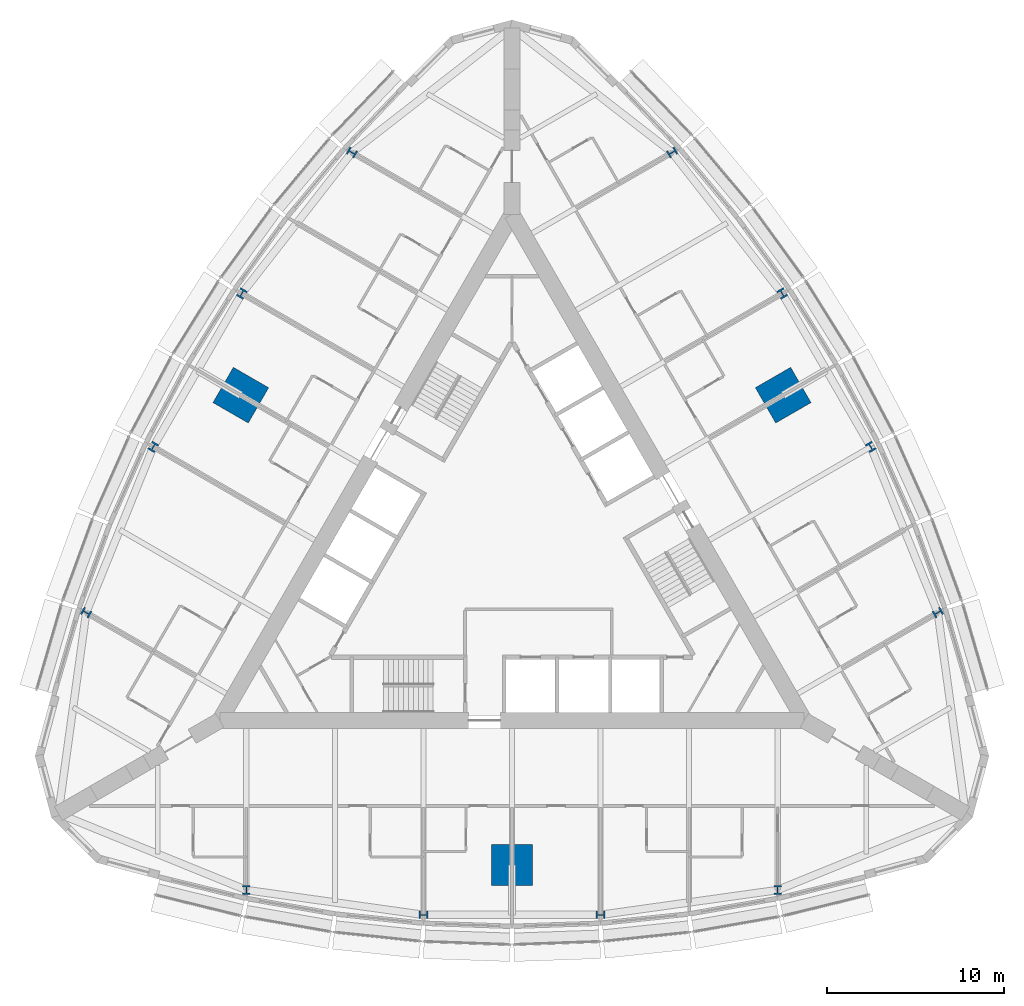
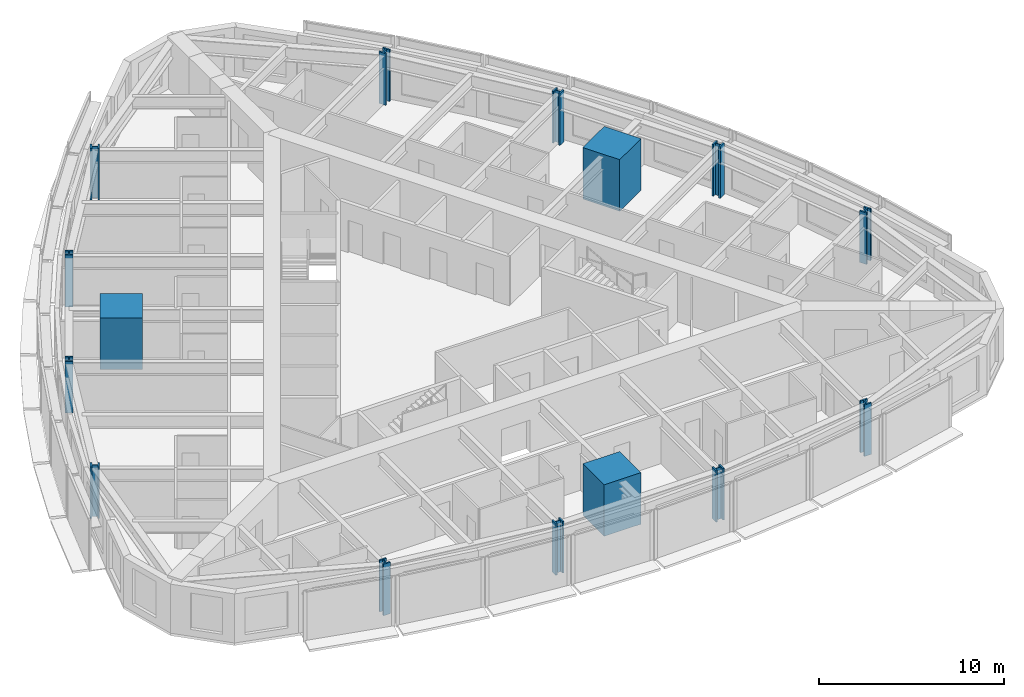
# One storey, part 1 of 14: 15 columns.
"""IFC4 building model written with IfcOpenShell, lengths in metres."""

from ifc_helpers import new_model, si_unit, direction, frame, origin, origin_2d, place, context, subcontext, project, spatial, rectangle, i_section, extrude, material, material_profile, profile_set, type_object, element, save


model = new_model("IFC4")

# Units and contexts
model_context = context("Model", 3, precision=1e-05, world=origin(), true_north=direction((0.0, 1.0)))
body_context = subcontext(model_context, "Body", "Model", "MODEL_VIEW")
ifc_project = project(units=[si_unit("LENGTHUNIT", "METRE"), si_unit("AREAUNIT", "SQUARE_METRE"), si_unit("VOLUMEUNIT", "CUBIC_METRE"), si_unit("PLANEANGLEUNIT", "RADIAN"), si_unit("MASSUNIT", "GRAM", prefix="KILO")], contexts=[model_context])

# Site, building, storey
site_placement = place(None, origin())
site = spatial("IfcSite", under=ifc_project, at=site_placement, CompositionType="ELEMENT")
building_placement = place(site_placement, origin())
building = spatial("IfcBuilding", under=site, at=building_placement, Name="Trikona Tower", CompositionType="ELEMENT")
storey_placement = place(building_placement, frame((0.0, 0.0, 131.699951171875)))
storey = spatial("IfcBuildingStorey", under=building, at=storey_placement, Name="L34", CompositionType="ELEMENT", Elevation=131.699951171875)

# Columns
ifc_material_1 = material(Name="Concrete f'c 10000 psi with encased steel section", Category="concrete")
ifc_material_profile_1 = material_profile(ifc_material_1, rectangle(XDim=2.300048828125, YDim=2.300048828125, at=origin_2d()), Name="MC2300")
ifc_profile_set_1 = profile_set([ifc_material_profile_1], Name="Concrete f'c 10000 psi with encased steel section")
column_type_1 = type_object("IfcColumnType", Name="Composite mega column 2300x2300", PredefinedType="COLUMN", material=ifc_profile_set_1)
for number, where, z_axis, x_axis, name in (
    (1, (0.0, -17.680419921875, 0.0), (0.0, 0.0, 1.0), (0.0, -1.0, 0.0), "Mega column MC1"),
    (2, (15.311767578125, 8.84033203125, 0.0), (0.0, 0.0, 1.0), (0.866025403784, 0.5, 0.0), "Mega column MC2"),
    (3, (-15.311767578125, 8.84033203125, 0.0), (0.0, 0.0, 1.0), (-0.866025403784, 0.5, 0.0), "Mega column MC3"),
):
    element("IfcColumn", number, at=place(storey_placement, frame(where, z_axis=z_axis, x_axis=x_axis)), inside=storey, type_object=column_type_1, Name=name, PredefinedType="COLUMN", context=body_context, shape_type="SweptSolid", body=[
        extrude(rectangle(XDim=2.300048828125, YDim=2.300048828125, at=origin_2d()), origin(), (0.0, 0.0, 1.0), 3.400146484375),
    ])
ifc_material_2 = material(Name="Steel ASTM A992 Grade 50", Category="steel")
ifc_material_profile_2 = material_profile(ifc_material_2, i_section(OverallWidth=0.436767578125, OverallDepth=0.51318359375, WebThickness=0.060546875, FlangeThickness=0.096923828125, at=origin_2d()), Name="W14X550")
ifc_profile_set_2 = profile_set([ifc_material_profile_2], Name="Steel ASTM A992 Grade 50")
column_type_2 = type_object("IfcColumnType", Name="Steel column W14x550", PredefinedType="COLUMN", material=ifc_profile_set_2)
for number, where, z_axis, x_axis, name in (
    (4, (-15.0, -19.10009765625, 0.0), (0.0, 0.0, 1.0), (1.0, 0.0, 0.0), "Column F0m15"),
    (5, (-5.0, -20.500244140625, 0.0), (0.0, 0.0, 1.0), (0.0, -1.0, 0.0), "Column F0m5"),
    (6, (5.0, -20.500244140625, 0.0), (0.0, 0.0, 1.0), (0.0, -1.0, 0.0), "Column F0p5"),
    (7, (15.0, -19.10009765625, 0.0), (0.0, 0.0, 1.0), (1.0, 0.0, 0.0), "Column F0p15"),
    (8, (24.041259765625, -3.440185546875, 0.0), (0.0, 0.0, 1.0), (-0.5, 0.866025403784, 0.0), "Column F1m15"),
    (9, (20.253662109375, 5.919921875, 0.0), (0.0, 0.0, 1.0), (0.866025403784, 0.5, 0.0), "Column F1m5"),
    (10, (15.253662109375, 14.580078125, 0.0), (0.0, 0.0, 1.0), (0.866025403784, 0.5, 0.0), "Column F1p5"),
    (11, (9.041259765625, 22.54052734375, 0.0), (0.0, 0.0, 1.0), (-0.5, 0.866025403784, 0.0), "Column F1p15"),
    (12, (-9.041259765625, 22.54052734375, 0.0), (0.0, 0.0, 1.0), (-0.5, -0.866025403784, 0.0), "Column F2m15"),
    (13, (-15.253662109375, 14.580078125, 0.0), (0.0, 0.0, 1.0), (-0.866025403784, 0.5, 0.0), "Column F2m5"),
    (14, (-20.253662109375, 5.919921875, 0.0), (0.0, 0.0, 1.0), (-0.866025403784, 0.5, 0.0), "Column F2p5"),
    (15, (-24.041259765625, -3.440185546875, 0.0), (0.0, 0.0, 1.0), (-0.5, -0.866025403784, 0.0), "Column F2p15"),
):
    element("IfcColumn", number, at=place(storey_placement, frame(where, z_axis=z_axis, x_axis=x_axis)), inside=storey, type_object=column_type_2, Name=name, PredefinedType="COLUMN", context=body_context, shape_type="SweptSolid", body=[
        extrude(i_section(OverallWidth=0.436767578125, OverallDepth=0.51318359375, WebThickness=0.060546875, FlangeThickness=0.096923828125, at=origin_2d()), origin(), (0.0, 0.0, 1.0), 3.400146484375),
    ])

save(model, "model.ifc")
